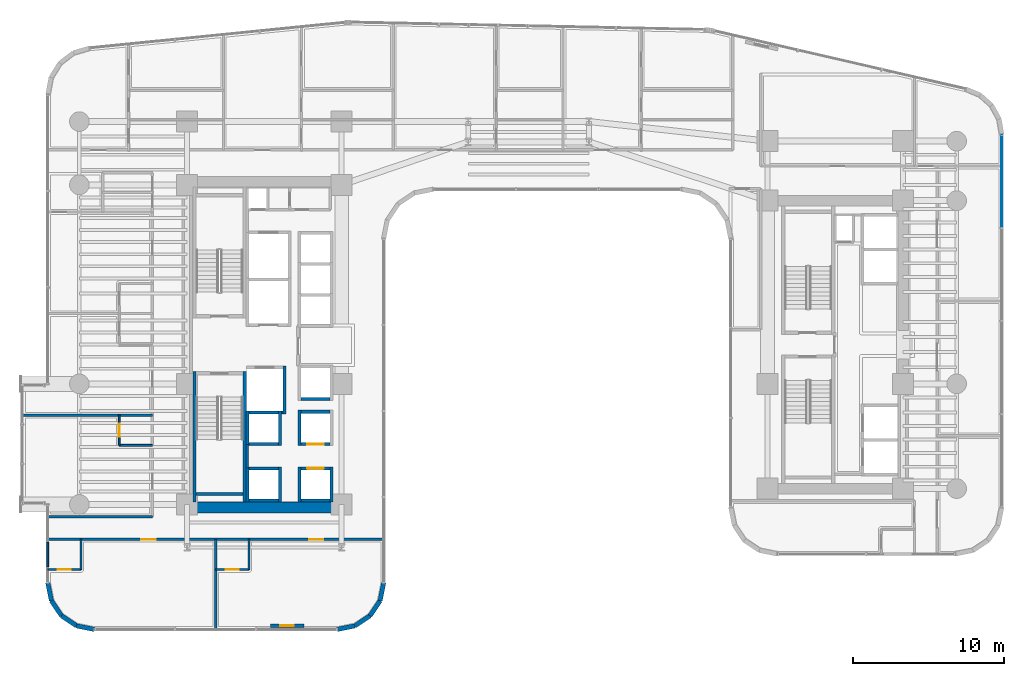
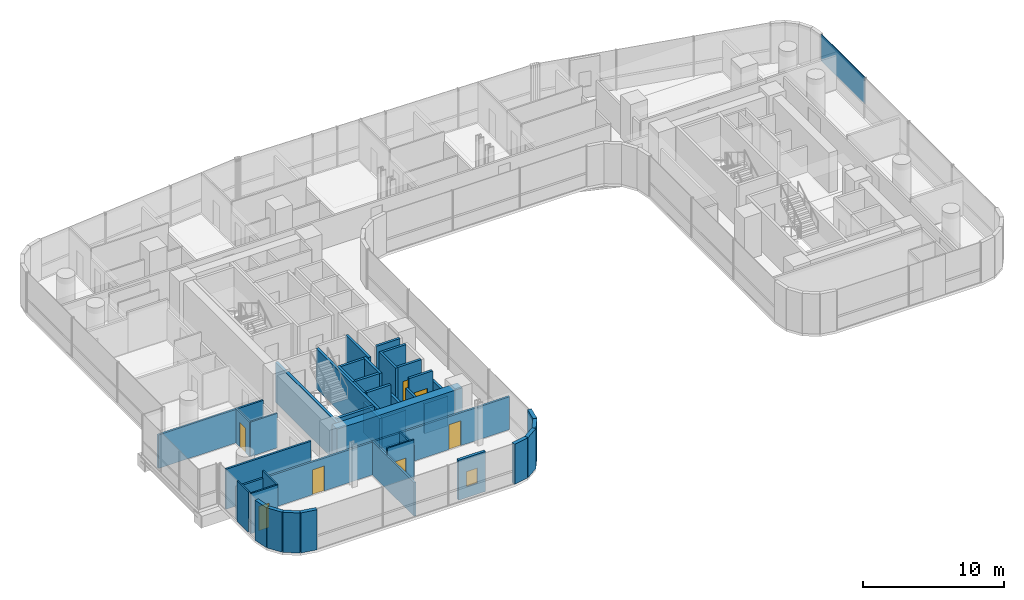
# One storey, part 30 of 41: 42 walls, 7 doors, 1 plate, 1 window, 8 openings, 1 element without a shape of its own.
"""IFC4 building model written with IfcOpenShell, lengths in metres."""

from ifc_helpers import new_model, si_unit, direction, frame, frame_2d, origin, origin_2d, place, context, subcontext, project, spatial, rectangle, extrude, source, transform, mapped, material, layer, layer_set, type_object, element, fill, aggregate, save


model = new_model("IFC4")

# Units and contexts
model_context = context("Model", 3, precision=1e-05, world=origin(), true_north=direction((0.0, 1.0)))
body_context = subcontext(model_context, "Body", "Model", "MODEL_VIEW")
ifc_project = project(units=[si_unit("LENGTHUNIT", "METRE"), si_unit("AREAUNIT", "SQUARE_METRE"), si_unit("VOLUMEUNIT", "CUBIC_METRE"), si_unit("PLANEANGLEUNIT", "RADIAN"), si_unit("MASSUNIT", "GRAM", prefix="KILO")], contexts=[model_context])

# Site, building, storey
site_placement = place(None, origin())
site = spatial("IfcSite", under=ifc_project, at=site_placement, CompositionType="ELEMENT")
building_placement = place(site_placement, origin())
building = spatial("IfcBuilding", under=site, at=building_placement, Name="Valdorenza Pilgrim Sanctuary Tower", CompositionType="ELEMENT")
storey_placement = place(building_placement, frame((0.0, 0.0, 59.300048828125)))
storey = spatial("IfcBuildingStorey", under=building, at=storey_placement, Name="L14", CompositionType="ELEMENT", Elevation=59.300048828125)

# Curtain wall, plate
ifc_material_1 = material(Name="Curtain-wall IGU glazing", Category="glass")
curtain_wall_type = type_object("IfcCurtainWallType", Name="CW-SYS-03", PredefinedType="NOTDEFINED", material=ifc_material_1)
curtain_wall_placement = place(storey_placement, origin())
curtain_wall = element("IfcCurtainWall", 1, at=curtain_wall_placement, inside=storey, type_object=curtain_wall_type, Name="L14 Curtain Wall CW-L14-1-21", PredefinedType="NOTDEFINED")
ifc_material_2 = material(Name="Ceramic-fritted low-E IGU glazing", Category="glass")
ifc_layer_1 = layer(ifc_material_2, 0.035888671875, Name="Ceramic-fritted low-E IGU glazing")
ifc_layer_set_1 = layer_set([ifc_layer_1], Name="Ceramic-fritted low-E IGU glazing")
plate_type = type_object("IfcPlateType", Name="CW-GLZ-IGU", PredefinedType="USERDEFINED", material=ifc_layer_set_1)
shared_shape = source(origin(), body_context, "Body", "SweptSolid", [
    extrude(rectangle(XDim=6.16357421875, YDim=0.050048828125, at=origin_2d()), origin(), (0.0, 0.0, 1.0), 2.320068359375),
])
plate_placement = place(storey_placement, frame((31.389892578125, 10.853271484375, 1.1298828125), z_axis=(0.0, 0.0, 1.0), x_axis=(0.0, -1.0, 0.0)))
plate = element("IfcPlate", 2, at=plate_placement, type_object=plate_type, Name="CW-L14-1-21 Facade Panel 1", ObjectType="GLAZING", PredefinedType="USERDEFINED", context=body_context, shape_type="MappedRepresentation", body=[
    mapped(shared_shape, transform((0.0, 0.0, 0.0), x_axis=(1.0, 0.0, 0.0), y_axis=(0.0, 1.0, 0.0), z_axis=(0.0, 0.0, 1.0), scale=1.0)),
])
aggregate(curtain_wall, [plate])

# Wall
ifc_material_3 = material(Name="Acoustic twin-stud gypsum partition", Category="gypsum")
ifc_layer_2 = layer(ifc_material_3, 0.159912109375, Name="Acoustic twin-stud gypsum partition")
ifc_layer_set_2 = layer_set([ifc_layer_2], Name="Acoustic twin-stud gypsum partition")
wall_type_1 = type_object("IfcWallType", Name="WAL-COR-160", PredefinedType="PARTITIONING", material=ifc_layer_set_2)
wall_1_placement = place(storey_placement, frame((-18.64990234375, -8.179931640625, 0.0), z_axis=(0.0, 0.0, 1.0), x_axis=(0.0, 1.0, 0.0)))
element("IfcWall", 3, at=wall_1_placement, inside=storey, type_object=wall_type_1, Name="L14 Core A South Lift Hall West Wall", PredefinedType="PARTITIONING", context=body_context, shape_type="SweptSolid", body=[
    extrude(rectangle(XDim=1.559814453125, YDim=0.159912109375, at=frame_2d((0.77978515625, 0.0))), origin(), (0.0, 0.0, 1.0), 3.4599609375),
])

# Wall, openings, doors
wall_2_placement = place(storey_placement, frame((-31.889892578125, -12.919921875, 0.0), z_axis=(0.0, 0.0, 1.0), x_axis=(1.0, 0.0, 0.0)))
wall_2 = element("IfcWall", 4, at=wall_2_placement, inside=storey, type_object=wall_type_1, Name="L14 South Wing Corridor Wall", PredefinedType="PARTITIONING", context=body_context, shape_type="SweptSolid", body=[
    extrude(rectangle(XDim=22.27978515625, YDim=0.159912109375, at=frame_2d((11.139892578125, 0.0))), origin(), (0.0, 0.0, 1.0), 2.833984375),
])
opening_1_placement = place(wall_2_placement, frame((6.195068359375, 0.0, 0.0)))
opening_1 = element("IfcOpeningElement", 5, at=opening_1_placement, cuts=wall_2, Name="Opening DR-UN1", PredefinedType="OPENING", context=body_context, shape_type="SweptSolid", body=[
    extrude(rectangle(XDim=0.949951171875, YDim=2.14990234375, at=frame_2d((0.47509765625, 1.074951171875))), frame((0.0, 0.0947265625, 0.0), z_axis=(0.0, -1.0, 0.0), x_axis=(1.0, 0.0, 0.0)), (0.0, 0.0, 1.0), 0.189697265625),
])
opening_2_placement = place(wall_2_placement, frame((17.3349609375, 0.0, 0.0)))
opening_2 = element("IfcOpeningElement", 6, at=opening_2_placement, cuts=wall_2, Name="Opening DR-UN1", PredefinedType="OPENING", context=body_context, shape_type="SweptSolid", body=[
    extrude(rectangle(XDim=0.949951171875, YDim=2.14990234375, at=frame_2d((0.47509765625, 1.074951171875))), frame((0.0, 0.0947265625, 0.0), z_axis=(0.0, -1.0, 0.0), x_axis=(1.0, 0.0, 0.0)), (0.0, 0.0, 1.0), 0.189697265625),
])
ifc_material_4 = material(Name="Solid-core European oak timber", Category="wood")
door_type_1 = type_object("IfcDoorType", Name="DR-UNIT-950", OperationType="NOTDEFINED", PredefinedType="DOOR", material=ifc_material_4)
door_1_placement = place(opening_1_placement, frame((0.949951171875, 0.0, 0.0), z_axis=(0.0, 0.0, 1.0), x_axis=(-1.0, 0.0, 0.0)))
door_1 = element("IfcDoor", 7, at=door_1_placement, inside=storey, type_object=door_type_1, Name="L14 South Sanctuary Guest Room L14-S1A Entrance Door", OperationType="SINGLE_SWING_LEFT", OverallHeight=2.14990234375, OverallWidth=0.949951171875, PredefinedType="DOOR", context=body_context, shape_type="SweptSolid", body=[
    extrude(rectangle(XDim=0.949951171875, YDim=2.14990234375, at=frame_2d((0.47509765625, 1.074951171875))), frame((0.0, 0.02490234375, 0.0), z_axis=(0.0, -1.0, 0.0), x_axis=(1.0, 0.0, 0.0)), (0.0, 0.0, 1.0), 0.050048828125),
])
fill(opening_1, door_1)
door_2_placement = place(opening_2_placement, frame((0.949951171875, 0.0, 0.0), z_axis=(0.0, 0.0, 1.0), x_axis=(-1.0, 0.0, 0.0)))
door_2 = element("IfcDoor", 8, at=door_2_placement, inside=storey, type_object=door_type_1, Name="L14 South Sanctuary Guest Room L14-S1B Entrance Door", OperationType="SINGLE_SWING_LEFT", OverallHeight=2.14990234375, OverallWidth=0.949951171875, PredefinedType="DOOR", context=body_context, shape_type="SweptSolid", body=[
    extrude(rectangle(XDim=0.949951171875, YDim=2.14990234375, at=frame_2d((0.47509765625, 1.074951171875))), frame((0.0, 0.02490234375, 0.0), z_axis=(0.0, -1.0, 0.0), x_axis=(1.0, 0.0, 0.0)), (0.0, 0.0, 1.0), 0.050048828125),
])
fill(opening_2, door_2)

# Walls
wall_3_placement = place(storey_placement, frame((-31.889892578125, -11.419921875, 0.0), z_axis=(0.0, 0.0, 1.0), x_axis=(1.0, 0.0, 0.0)))
element("IfcWall", 9, at=wall_3_placement, inside=storey, type_object=wall_type_1, Name="L14 South-West Corridor North Wall", PredefinedType="PARTITIONING", context=body_context, shape_type="SweptSolid", body=[
    extrude(rectangle(XDim=6.93994140625, YDim=0.159912109375, at=frame_2d((3.469970703125, 0.0))), origin(), (0.0, 0.0, 1.0), 3.4599609375),
])
ifc_material_5 = material(Name="Concrete C60/75", Category="concrete")
ifc_layer_3 = layer(ifc_material_5, 0.699951171875, Name="Concrete C60/75")
ifc_layer_set_3 = layer_set([ifc_layer_3], Name="Concrete C60/75")
wall_type_2 = type_object("IfcWallType", Name="WAL-COR-700", PredefinedType="SHEAR", material=ifc_layer_set_3)
wall_4_placement = place(storey_placement, frame((-22.64990234375, -10.800048828125, 0.0), z_axis=(0.0, 0.0, 1.0), x_axis=(1.0, 0.0, 0.0)))
element("IfcWall", 10, at=wall_4_placement, inside=storey, type_object=wall_type_2, Name="L14 Split Core A Shear Wall S", PredefinedType="SHEAR", context=body_context, shape_type="SweptSolid", body=[
    extrude(rectangle(XDim=10.25, YDim=0.699951171875, at=frame_2d((5.125, 0.0))), origin(), (0.0, 0.0, 1.0), 3.4599609375),
])
ifc_material_6 = material(Name="Honed travertine limestone", Category="masonry")
ifc_layer_4 = layer(ifc_material_6, 0.300048828125, Name="Honed travertine limestone")
ifc_layer_set_4 = layer_set([ifc_layer_4], Name="Honed travertine limestone")
wall_type_3 = type_object("IfcWallType", Name="WAL-EXT-300", PredefinedType="SOLIDWALL", material=ifc_layer_set_4)
wall_5_placement = place(storey_placement, frame((-9.610107421875, -15.789306640625, 0.0), z_axis=(0.0, 0.0, 1.0), x_axis=(-0.194996050505, -0.980804027463, 0.0)))
element("IfcWall", 11, at=wall_5_placement, inside=storey, type_object=wall_type_3, Name="L14 Rounded Wind-Corner Stone Pier 42", PredefinedType="SOLIDWALL", context=body_context, shape_type="SweptSolid", body=[
    extrude(rectangle(XDim=1.2158203125, YDim=0.300048828125, at=frame_2d((0.60791015625, 0.0))), origin(), (0.0, 0.0, 1.0), 3.4599609375),
])
for number, where, z_axis, x_axis, name in (
    (12, (-9.84716796875, -16.981689453125, 0.0), (0.0, 0.0, 1.0), (-0.555635100982, -0.831426265255, 0.0), "L14 Rounded Wind-Corner Stone Pier 43"),
    (13, (-10.5166015625, -17.9833984375, 0.0), (0.0, 0.0, 1.0), (-0.831426265255, -0.555635100982, 0.0), "L14 Rounded Wind-Corner Stone Pier 44"),
):
    element("IfcWall", number, at=place(storey_placement, frame(where, z_axis=z_axis, x_axis=x_axis)), inside=storey, type_object=wall_type_3, Name=name, PredefinedType="SOLIDWALL", context=body_context, shape_type="SweptSolid", body=[
        extrude(rectangle(XDim=1.204833984375, YDim=0.300048828125, at=frame_2d((0.6025390625, 0.0))), origin(), (0.0, 0.0, 1.0), 3.4599609375),
    ])
wall_6_placement = place(storey_placement, frame((-11.518310546875, -18.65283203125, 0.0), z_axis=(0.0, 0.0, 1.0), x_axis=(-0.980804027463, -0.194996050505, 0.0)))
element("IfcWall", 14, at=wall_6_placement, inside=storey, type_object=wall_type_3, Name="L14 Rounded Wind-Corner Stone Pier 45", PredefinedType="SOLIDWALL", context=body_context, shape_type="SweptSolid", body=[
    extrude(rectangle(XDim=1.2158203125, YDim=0.300048828125, at=frame_2d((0.60791015625, 0.0))), origin(), (0.0, 0.0, 1.0), 3.4599609375),
])

# Wall, opening, window
wall_7_placement = place(storey_placement, frame((-14.910888671875, -18.64990234375, 0.0), z_axis=(0.0, 0.0, 1.0), x_axis=(-1.0, 0.0, 0.0)))
wall_7 = element("IfcWall", 15, at=wall_7_placement, inside=storey, type_object=wall_type_3, Name="L14 Operable Ventilation Sash Jamb Pier", PredefinedType="SOLIDWALL", context=body_context, shape_type="SweptSolid", body=[
    extrude(rectangle(XDim=2.199951171875, YDim=0.219970703125, at=frame_2d((1.10009765625, 0.0))), origin(), (0.0, 0.0, 1.0), 3.4599609375),
])
opening_3_placement = place(wall_7_placement, frame((0.64990234375, 0.0, 0.949951171875)))
opening_3 = element("IfcOpeningElement", 16, at=opening_3_placement, cuts=wall_7, Name="Opening WN-OP1", PredefinedType="OPENING", context=body_context, shape_type="SweptSolid", body=[
    extrude(rectangle(XDim=0.89990234375, YDim=1.300048828125, at=frame_2d((0.449951171875, 0.64990234375))), frame((0.0, 0.125, 0.0), z_axis=(0.0, -1.0, 0.0), x_axis=(1.0, 0.0, 0.0)), (0.0, 0.0, 1.0), 0.249755859375),
])
window_type = type_object("IfcWindowType", Name="WIN-OPN-900", PartitioningType="SINGLE_PANEL", PredefinedType="WINDOW", material=ifc_material_2)
window_placement = place(opening_3_placement, origin())
window = element("IfcWindow", 17, at=window_placement, inside=storey, type_object=window_type, Name="L14 Parallel-Pop-Out Operable Facade Panel", OverallHeight=1.300048828125, OverallWidth=0.89990234375, PartitioningType="SINGLE_PANEL", PredefinedType="WINDOW", context=body_context, shape_type="SweptSolid", body=[
    extrude(rectangle(XDim=0.89990234375, YDim=1.300048828125, at=frame_2d((0.449951171875, 0.64990234375))), frame((0.0, 0.030029296875, 0.0), z_axis=(0.0, -1.0, 0.0), x_axis=(1.0, 0.0, 0.0)), (0.0, 0.0, 1.0), 0.06005859375),
])
fill(opening_3, window)

# Walls
wall_8_placement = place(storey_placement, frame((-28.789306640625, -18.889892578125, 0.0), z_axis=(0.0, 0.0, 1.0), x_axis=(-0.980804027463, 0.194996050505, 0.0)))
element("IfcWall", 18, at=wall_8_placement, inside=storey, type_object=wall_type_3, Name="L14 Rounded Wind-Corner Stone Pier 47", PredefinedType="SOLIDWALL", context=body_context, shape_type="SweptSolid", body=[
    extrude(rectangle(XDim=1.2158203125, YDim=0.300048828125, at=frame_2d((0.60791015625, 0.0))), origin(), (0.0, 0.0, 1.0), 3.4599609375),
])
for number, where, z_axis, x_axis, name in (
    (19, (-29.981689453125, -18.65283203125, 0.0), (0.0, 0.0, 1.0), (-0.831426265255, 0.555635100982, 0.0), "L14 Rounded Wind-Corner Stone Pier 48"),
    (20, (-30.9833984375, -17.9833984375, 0.0), (0.0, 0.0, 1.0), (-0.555635100982, 0.831426265255, 0.0), "L14 Rounded Wind-Corner Stone Pier 49"),
):
    element("IfcWall", number, at=place(storey_placement, frame(where, z_axis=z_axis, x_axis=x_axis)), inside=storey, type_object=wall_type_3, Name=name, PredefinedType="SOLIDWALL", context=body_context, shape_type="SweptSolid", body=[
        extrude(rectangle(XDim=1.204833984375, YDim=0.300048828125, at=frame_2d((0.6025390625, 0.0))), origin(), (0.0, 0.0, 1.0), 3.4599609375),
    ])
wall_9_placement = place(storey_placement, frame((-31.65283203125, -16.981689453125, 0.0), z_axis=(0.0, 0.0, 1.0), x_axis=(-0.194996050505, 0.980804027463, 0.0)))
element("IfcWall", 21, at=wall_9_placement, inside=storey, type_object=wall_type_3, Name="L14 Rounded Wind-Corner Stone Pier 50", PredefinedType="SOLIDWALL", context=body_context, shape_type="SweptSolid", body=[
    extrude(rectangle(XDim=1.2158203125, YDim=0.300048828125, at=frame_2d((0.60791015625, 0.0))), origin(), (0.0, 0.0, 1.0), 3.4599609375),
])
ifc_material_7 = material(Name="Moisture-resistant gypsum partition", Category="gypsum")
ifc_layer_5 = layer(ifc_material_7, 0.1201171875, Name="Moisture-resistant gypsum partition")
ifc_layer_set_5 = layer_set([ifc_layer_5], Name="Moisture-resistant gypsum partition")
wall_type_4 = type_object("IfcWallType", Name="WAL-INT-120", PredefinedType="PARTITIONING", material=ifc_layer_set_5)
wall_10_placement = place(storey_placement, frame((-27.14990234375, -6.679931640625, 0.0), z_axis=(0.0, 0.0, 1.0), x_axis=(1.0, 0.0, 0.0)))
element("IfcWall", 22, at=wall_10_placement, inside=storey, type_object=wall_type_4, Name="L14 Sanctuary Guest Room L14-W1 En-suite South Wall", PredefinedType="PARTITIONING", context=body_context, shape_type="SweptSolid", body=[
    extrude(rectangle(XDim=2.199951171875, YDim=0.1201171875, at=frame_2d((1.10009765625, 0.0))), origin(), (0.0, 0.0, 1.0), 2.97900390625),
])

# Wall, opening, door
wall_11_placement = place(storey_placement, frame((-27.14990234375, -6.679931640625, 0.0), z_axis=(0.0, 0.0, 1.0), x_axis=(0.0, 1.0, 0.0)))
wall_11 = element("IfcWall", 23, at=wall_11_placement, inside=storey, type_object=wall_type_4, Name="L14 Sanctuary Guest Room L14-W1 En-suite Door Wall", PredefinedType="PARTITIONING", context=body_context, shape_type="SweptSolid", body=[
    extrude(rectangle(XDim=2.0, YDim=0.1201171875, at=frame_2d((1.0, 0.0))), origin(), (0.0, 0.0, 1.0), 2.97900390625),
])
opening_4_placement = place(wall_11_placement, frame((0.574951171875, 0.0, 0.0)))
opening_4 = element("IfcOpeningElement", 24, at=opening_4_placement, cuts=wall_11, Name="Opening DR-WC1", PredefinedType="OPENING", context=body_context, shape_type="SweptSolid", body=[
    extrude(rectangle(XDim=0.85009765625, YDim=2.10009765625, at=frame_2d((0.425048828125, 1.050048828125))), frame((0.0, 0.074951171875, 0.0), z_axis=(0.0, -1.0, 0.0), x_axis=(1.0, 0.0, 0.0)), (0.0, 0.0, 1.0), 0.14990234375),
])
ifc_material_8 = material(Name="Moisture-resistant lacquered timber", Category="wood")
door_type_2 = type_object("IfcDoorType", Name="DR-BATH-850", OperationType="NOTDEFINED", PredefinedType="DOOR", material=ifc_material_8)
door_3_placement = place(opening_4_placement, origin())
door_3 = element("IfcDoor", 25, at=door_3_placement, inside=storey, type_object=door_type_2, Name="L14 Sanctuary Guest Room L14-W1 En-suite Bathroom Door", OperationType="SINGLE_SWING_RIGHT", OverallHeight=2.10009765625, OverallWidth=0.85009765625, PredefinedType="DOOR", context=body_context, shape_type="SweptSolid", body=[
    extrude(rectangle(XDim=0.85009765625, YDim=2.10009765625, at=frame_2d((0.425048828125, 1.050048828125))), frame((0.0, 0.02490234375, 0.0), z_axis=(0.0, -1.0, 0.0), x_axis=(1.0, 0.0, 0.0)), (0.0, 0.0, 1.0), 0.050048828125),
])
fill(opening_4, door_3)

# Wall
wall_12_placement = place(storey_placement, frame((-29.68994140625, -14.919921875, 0.0), z_axis=(0.0, 0.0, 1.0), x_axis=(0.0, 1.0, 0.0)))
element("IfcWall", 26, at=wall_12_placement, inside=storey, type_object=wall_type_4, Name="L14 South Sanctuary Guest Room L14-S1A En-suite East Wall", PredefinedType="PARTITIONING", context=body_context, shape_type="SweptSolid", body=[
    extrude(rectangle(XDim=2.0, YDim=0.1201171875, at=frame_2d((1.0, 0.0))), origin(), (0.0, 0.0, 1.0), 3.4599609375),
])

# Wall, opening, door
wall_13_placement = place(storey_placement, frame((-31.889892578125, -14.919921875, 0.0), z_axis=(0.0, 0.0, 1.0), x_axis=(1.0, 0.0, 0.0)))
wall_13 = element("IfcWall", 27, at=wall_13_placement, inside=storey, type_object=wall_type_4, Name="L14 South Sanctuary Guest Room L14-S1A En-suite Door Wall", PredefinedType="PARTITIONING", context=body_context, shape_type="SweptSolid", body=[
    extrude(rectangle(XDim=2.199951171875, YDim=0.1201171875, at=frame_2d((1.10009765625, 0.0))), origin(), (0.0, 0.0, 1.0), 3.4599609375),
])
opening_5_placement = place(wall_13_placement, frame((0.675048828125, 0.0, 0.0)))
opening_5 = element("IfcOpeningElement", 28, at=opening_5_placement, cuts=wall_13, Name="Opening DR-WC1", PredefinedType="OPENING", context=body_context, shape_type="SweptSolid", body=[
    extrude(rectangle(XDim=0.85009765625, YDim=2.10009765625, at=frame_2d((0.425048828125, 1.050048828125))), frame((0.0, 0.074951171875, 0.0), z_axis=(0.0, -1.0, 0.0), x_axis=(1.0, 0.0, 0.0)), (0.0, 0.0, 1.0), 0.14990234375),
])
door_4_placement = place(opening_5_placement, origin())
door_4 = element("IfcDoor", 29, at=door_4_placement, inside=storey, type_object=door_type_2, Name="L14 South Sanctuary Guest Room L14-S1A En-suite Bathroom Door", OperationType="SINGLE_SWING_RIGHT", OverallHeight=2.10009765625, OverallWidth=0.85009765625, PredefinedType="DOOR", context=body_context, shape_type="SweptSolid", body=[
    extrude(rectangle(XDim=0.85009765625, YDim=2.10009765625, at=frame_2d((0.425048828125, 1.050048828125))), frame((0.0, 0.02490234375, 0.0), z_axis=(0.0, -1.0, 0.0), x_axis=(1.0, 0.0, 0.0)), (0.0, 0.0, 1.0), 0.050048828125),
])
fill(opening_5, door_4)

# Walls
wall_14_placement = place(storey_placement, frame((-31.889892578125, -14.739990234375, 0.0), z_axis=(0.0, 0.0, 1.0), x_axis=(0.0, 1.0, 0.0)))
element("IfcWall", 30, at=wall_14_placement, inside=storey, type_object=wall_type_4, Name="L14 SW-FL1A-ENS Enclosure Wall W", PredefinedType="PARTITIONING", context=body_context, shape_type="SweptSolid", body=[
    extrude(rectangle(XDim=1.619873046875, YDim=0.1201171875, at=frame_2d((0.81005859375, 0.0))), origin(), (0.0, 0.0, 1.0), 3.4599609375),
])
wall_15_placement = place(storey_placement, frame((-18.550048828125, -14.919921875, 0.0), z_axis=(0.0, 0.0, 1.0), x_axis=(0.0, 1.0, 0.0)))
element("IfcWall", 31, at=wall_15_placement, inside=storey, type_object=wall_type_4, Name="L14 South Sanctuary Guest Room L14-S1B En-suite East Wall", PredefinedType="PARTITIONING", context=body_context, shape_type="SweptSolid", body=[
    extrude(rectangle(XDim=2.0, YDim=0.1201171875, at=frame_2d((1.0, 0.0))), origin(), (0.0, 0.0, 1.0), 2.89599609375),
])

# Wall, opening, door
wall_16_placement = place(storey_placement, frame((-20.75, -14.919921875, 0.0), z_axis=(0.0, 0.0, 1.0), x_axis=(1.0, 0.0, 0.0)))
wall_16 = element("IfcWall", 32, at=wall_16_placement, inside=storey, type_object=wall_type_4, Name="L14 South Sanctuary Guest Room L14-S1B En-suite Door Wall", PredefinedType="PARTITIONING", context=body_context, shape_type="SweptSolid", body=[
    extrude(rectangle(XDim=2.199951171875, YDim=0.1201171875, at=frame_2d((1.10009765625, 0.0))), origin(), (0.0, 0.0, 1.0), 3.4599609375),
])
opening_6_placement = place(wall_16_placement, frame((0.675048828125, 0.0, 0.0)))
opening_6 = element("IfcOpeningElement", 33, at=opening_6_placement, cuts=wall_16, Name="Opening DR-WC1", PredefinedType="OPENING", context=body_context, shape_type="SweptSolid", body=[
    extrude(rectangle(XDim=0.85009765625, YDim=2.10009765625, at=frame_2d((0.425048828125, 1.050048828125))), frame((0.0, 0.074951171875, 0.0), z_axis=(0.0, -1.0, 0.0), x_axis=(1.0, 0.0, 0.0)), (0.0, 0.0, 1.0), 0.14990234375),
])
door_5_placement = place(opening_6_placement, origin())
door_5 = element("IfcDoor", 34, at=door_5_placement, inside=storey, type_object=door_type_2, Name="L14 South Sanctuary Guest Room L14-S1B En-suite Bathroom Door", OperationType="SINGLE_SWING_RIGHT", OverallHeight=2.10009765625, OverallWidth=0.85009765625, PredefinedType="DOOR", context=body_context, shape_type="SweptSolid", body=[
    extrude(rectangle(XDim=0.85009765625, YDim=2.10009765625, at=frame_2d((0.425048828125, 1.050048828125))), frame((0.0, 0.02490234375, 0.0), z_axis=(0.0, -1.0, 0.0), x_axis=(1.0, 0.0, 0.0)), (0.0, 0.0, 1.0), 0.050048828125),
])
fill(opening_6, door_5)

# Walls
ifc_material_9 = material(Name="Autoclaved aerated concrete blockwork", Category="masonry")
ifc_layer_6 = layer(ifc_material_9, 0.199951171875, Name="Autoclaved aerated concrete blockwork")
ifc_layer_set_6 = layer_set([ifc_layer_6], Name="Autoclaved aerated concrete blockwork")
wall_type_5 = type_object("IfcWallType", Name="WAL-SHF-200", PredefinedType="MOVABLE", material=ifc_layer_set_6)
wall_17_placement = place(storey_placement, frame((-16.199951171875, -4.60009765625, 0.0), z_axis=(0.0, 0.0, 1.0), x_axis=(0.0, 1.0, 0.0)))
element("IfcWall", 35, at=wall_17_placement, inside=storey, type_object=wall_type_5, Name="L14 Lift FFL-02 Hoistway Wall East", PredefinedType="MOVABLE", context=body_context, shape_type="SweptSolid", body=[
    extrude(rectangle(XDim=3.2001953125, YDim=0.199951171875, at=frame_2d((1.60009765625, 0.0))), origin(), (0.0, 0.0, 1.0), 3.4599609375),
])
wall_18_placement = place(storey_placement, frame((-18.719970703125, -4.5, 0.0), z_axis=(0.0, 0.0, 1.0), x_axis=(1.0, 0.0, 0.0)))
element("IfcWall", 36, at=wall_18_placement, inside=storey, type_object=wall_type_5, Name="L14 Lift FFL-02 Hoistway Wall South", PredefinedType="MOVABLE", context=body_context, shape_type="SweptSolid", body=[
    extrude(rectangle(XDim=2.419921875, YDim=0.199951171875, at=frame_2d((1.2099609375, 0.0))), origin(), (0.0, 0.0, 1.0), 3.4599609375),
])
for number, where, z_axis, x_axis, name in (
    (37, (-15.199951171875, -10.449951171875, 0.0), (0.0, 0.0, 1.0), (0.0, 1.0, 0.0), "L14 Lift PL-01 Hoistway Wall West"),
    (38, (-13.080078125, -10.449951171875, 0.0), (0.0, 0.0, 1.0), (0.0, 1.0, 0.0), "L14 Lift PL-01 Hoistway Wall East"),
):
    element("IfcWall", number, at=place(storey_placement, frame(where, z_axis=z_axis, x_axis=x_axis)), inside=storey, type_object=wall_type_5, Name=name, PredefinedType="MOVABLE", context=body_context, shape_type="SweptSolid", body=[
        extrude(rectangle(XDim=2.349853515625, YDim=0.199951171875, at=frame_2d((1.1748046875, 0.0))), origin(), (0.0, 0.0, 1.0), 2.5830078125),
    ])
wall_19_placement = place(storey_placement, frame((-15.10009765625, -10.35009765625, 0.0), z_axis=(0.0, 0.0, 1.0), x_axis=(1.0, 0.0, 0.0)))
element("IfcWall", 39, at=wall_19_placement, inside=storey, type_object=wall_type_5, Name="L14 Lift PL-01 Hoistway Wall South", PredefinedType="MOVABLE", context=body_context, shape_type="SweptSolid", body=[
    extrude(rectangle(XDim=1.920166015625, YDim=0.199951171875, at=frame_2d((0.9599609375, 0.0))), origin(), (0.0, 0.0, 1.0), 2.5830078125),
])

# Wall, opening, door
wall_20_placement = place(storey_placement, frame((-15.10009765625, -8.199951171875, 0.0), z_axis=(0.0, 0.0, 1.0), x_axis=(1.0, 0.0, 0.0)))
wall_20 = element("IfcWall", 40, at=wall_20_placement, inside=storey, type_object=wall_type_5, Name="L14 Lift PL-01 Hoistway Wall North", PredefinedType="MOVABLE", context=body_context, shape_type="SweptSolid", body=[
    extrude(rectangle(XDim=1.920166015625, YDim=0.199951171875, at=frame_2d((0.9599609375, 0.0))), origin(), (0.0, 0.0, 1.0), 3.4599609375),
])
opening_7_placement = place(wall_20_placement, frame((0.409912109375, 0.0, 0.0)))
opening_7 = element("IfcOpeningElement", 41, at=opening_7_placement, cuts=wall_20, Name="Opening LD-01", PredefinedType="OPENING", context=body_context, shape_type="SweptSolid", body=[
    extrude(rectangle(XDim=1.10009765625, YDim=2.10009765625, at=frame_2d((0.550048828125, 1.050048828125))), frame((0.0, 0.11474609375, 0.0), z_axis=(0.0, -1.0, 0.0), x_axis=(1.0, 0.0, 0.0)), (0.0, 0.0, 1.0), 0.229736328125),
])
ifc_material_10 = material(Name="Brushed stainless steel Grade 316", Category="steel")
door_type_3 = type_object("IfcDoorType", Name="DR-LFT-1100", OperationType="DOUBLE_DOOR_SLIDING", PredefinedType="DOOR", material=ifc_material_10)
door_6_placement = place(opening_7_placement, origin())
door_6 = element("IfcDoor", 42, at=door_6_placement, inside=storey, type_object=door_type_3, Name="L14 Lift PL-01 Sliding Landing Door", OperationType="DOUBLE_DOOR_SLIDING", OverallHeight=2.10009765625, OverallWidth=1.10009765625, PredefinedType="DOOR", context=body_context, shape_type="SweptSolid", body=[
    extrude(rectangle(XDim=1.10009765625, YDim=2.10009765625, at=frame_2d((0.550048828125, 1.050048828125))), frame((0.0, 0.02490234375, 0.0), z_axis=(0.0, -1.0, 0.0), x_axis=(1.0, 0.0, 0.0)), (0.0, 0.0, 1.0), 0.050048828125),
])
fill(opening_7, door_6)

# Wall
wall_21_placement = place(storey_placement, frame((-15.199951171875, -6.699951171875, 0.0), z_axis=(0.0, 0.0, 1.0), x_axis=(0.0, 1.0, 0.0)))
element("IfcWall", 43, at=wall_21_placement, inside=storey, type_object=wall_type_5, Name="L14 Lift PL-02 Hoistway Wall West", PredefinedType="MOVABLE", context=body_context, shape_type="SweptSolid", body=[
    extrude(rectangle(XDim=2.349853515625, YDim=0.199951171875, at=frame_2d((1.1748046875, 0.0))), origin(), (0.0, 0.0, 1.0), 3.4599609375),
])

# Wall, opening, door
wall_22_placement = place(storey_placement, frame((-15.10009765625, -6.60009765625, 0.0), z_axis=(0.0, 0.0, 1.0), x_axis=(1.0, 0.0, 0.0)))
wall_22 = element("IfcWall", 44, at=wall_22_placement, inside=storey, type_object=wall_type_5, Name="L14 Lift PL-02 Hoistway Wall South", PredefinedType="MOVABLE", context=body_context, shape_type="SweptSolid", body=[
    extrude(rectangle(XDim=1.920166015625, YDim=0.199951171875, at=frame_2d((0.9599609375, 0.0))), origin(), (0.0, 0.0, 1.0), 3.4599609375),
])
opening_8_placement = place(wall_22_placement, frame((0.409912109375, 0.0, 0.0)))
opening_8 = element("IfcOpeningElement", 45, at=opening_8_placement, cuts=wall_22, Name="Opening LD-01", PredefinedType="OPENING", context=body_context, shape_type="SweptSolid", body=[
    extrude(rectangle(XDim=1.10009765625, YDim=2.10009765625, at=frame_2d((0.550048828125, 1.050048828125))), frame((0.0, 0.11474609375, 0.0), z_axis=(0.0, -1.0, 0.0), x_axis=(1.0, 0.0, 0.0)), (0.0, 0.0, 1.0), 0.229736328125),
])
door_7_placement = place(opening_8_placement, origin())
door_7 = element("IfcDoor", 46, at=door_7_placement, inside=storey, type_object=door_type_3, Name="L14 Lift PL-02 Sliding Landing Door", OperationType="DOUBLE_DOOR_SLIDING", OverallHeight=2.10009765625, OverallWidth=1.10009765625, PredefinedType="DOOR", context=body_context, shape_type="SweptSolid", body=[
    extrude(rectangle(XDim=1.10009765625, YDim=2.10009765625, at=frame_2d((0.550048828125, 1.050048828125))), frame((0.0, 0.02490234375, 0.0), z_axis=(0.0, -1.0, 0.0), x_axis=(1.0, 0.0, 0.0)), (0.0, 0.0, 1.0), 0.050048828125),
])
fill(opening_8, door_7)

# Walls
wall_23_placement = place(storey_placement, frame((-15.10009765625, -4.449951171875, 0.0), z_axis=(0.0, 0.0, 1.0), x_axis=(1.0, 0.0, 0.0)))
element("IfcWall", 47, at=wall_23_placement, inside=storey, type_object=wall_type_5, Name="L14 Lift PL-02 Hoistway Wall North", PredefinedType="MOVABLE", context=body_context, shape_type="SweptSolid", body=[
    extrude(rectangle(XDim=1.920166015625, YDim=0.199951171875, at=frame_2d((0.9599609375, 0.0))), origin(), (0.0, 0.0, 1.0), 3.4599609375),
])
for number, where, z_axis, x_axis, name in (
    (48, (-18.64990234375, -10.449951171875, 0.0), (0.0, 0.0, 1.0), (0.0, 1.0, 0.0), "L14 Lift PL-05 Hoistway Wall West"),
    (49, (-16.5, -10.449951171875, 0.0), (0.0, 0.0, 1.0), (0.0, 1.0, 0.0), "L14 Lift PL-05 Hoistway Wall East"),
):
    element("IfcWall", number, at=place(storey_placement, frame(where, z_axis=z_axis, x_axis=x_axis)), inside=storey, type_object=wall_type_5, Name=name, PredefinedType="MOVABLE", context=body_context, shape_type="SweptSolid", body=[
        extrude(rectangle(XDim=2.349853515625, YDim=0.199951171875, at=frame_2d((1.1748046875, 0.0))), origin(), (0.0, 0.0, 1.0), 2.5830078125),
    ])
wall_24_placement = place(storey_placement, frame((-18.550048828125, -10.35009765625, 0.0), z_axis=(0.0, 0.0, 1.0), x_axis=(1.0, 0.0, 0.0)))
element("IfcWall", 50, at=wall_24_placement, inside=storey, type_object=wall_type_5, Name="L14 Lift PL-05 Hoistway Wall South", PredefinedType="MOVABLE", context=body_context, shape_type="SweptSolid", body=[
    extrude(rectangle(XDim=1.949951171875, YDim=0.199951171875, at=frame_2d((0.97509765625, 0.0))), origin(), (0.0, 0.0, 1.0), 2.5830078125),
])
wall_25_placement = place(storey_placement, frame((-18.550048828125, -8.199951171875, 0.0), z_axis=(0.0, 0.0, 1.0), x_axis=(1.0, 0.0, 0.0)))
element("IfcWall", 51, at=wall_25_placement, inside=storey, type_object=wall_type_5, Name="L14 Lift PL-05 Hoistway Wall North", PredefinedType="MOVABLE", context=body_context, shape_type="SweptSolid", body=[
    extrude(rectangle(XDim=1.949951171875, YDim=0.199951171875, at=frame_2d((0.97509765625, 0.0))), origin(), (0.0, 0.0, 1.0), 3.4599609375),
])
for number, where, z_axis, x_axis, name in (
    (52, (-18.64990234375, -6.699951171875, 0.0), (0.0, 0.0, 1.0), (0.0, 1.0, 0.0), "L14 Lift PL-11 Hoistway Wall West"),
    (53, (-16.5, -6.699951171875, 0.0), (0.0, 0.0, 1.0), (0.0, 1.0, 0.0), "L14 Lift PL-11 Hoistway Wall East"),
):
    element("IfcWall", number, at=place(storey_placement, frame(where, z_axis=z_axis, x_axis=x_axis)), inside=storey, type_object=wall_type_5, Name=name, PredefinedType="MOVABLE", context=body_context, shape_type="SweptSolid", body=[
        extrude(rectangle(XDim=2.300048828125, YDim=0.199951171875, at=frame_2d((1.14990234375, 0.0))), origin(), (0.0, 0.0, 1.0), 3.4599609375),
    ])
wall_26_placement = place(storey_placement, frame((-18.550048828125, -6.60009765625, 0.0), z_axis=(0.0, 0.0, 1.0), x_axis=(1.0, 0.0, 0.0)))
element("IfcWall", 54, at=wall_26_placement, inside=storey, type_object=wall_type_5, Name="L14 Lift PL-11 Hoistway Wall South", PredefinedType="MOVABLE", context=body_context, shape_type="SweptSolid", body=[
    extrude(rectangle(XDim=1.949951171875, YDim=0.199951171875, at=frame_2d((0.97509765625, 0.0))), origin(), (0.0, 0.0, 1.0), 3.4599609375),
])
wall_27_placement = place(storey_placement, frame((-15.10009765625, -3.60009765625, 0.0), z_axis=(0.0, 0.0, 1.0), x_axis=(1.0, 0.0, 0.0)))
element("IfcWall", 55, at=wall_27_placement, inside=storey, type_object=wall_type_5, Name="L14 Lift PL-12 Hoistway Wall South", PredefinedType="MOVABLE", context=body_context, shape_type="SweptSolid", body=[
    extrude(rectangle(XDim=1.920166015625, YDim=0.199951171875, at=frame_2d((0.9599609375, 0.0))), origin(), (0.0, 0.0, 1.0), 3.4599609375),
])
ifc_material_11 = material(Name="Concrete C40/50", Category="concrete")
ifc_layer_7 = layer(ifc_material_11, 0.219970703125, Name="Concrete C40/50")
ifc_layer_set_7 = layer_set([ifc_layer_7], Name="Concrete C40/50")
wall_type_6 = type_object("IfcWallType", Name="WAL-STR-SHF-220", PredefinedType="SHEAR", material=ifc_layer_set_7)
for number, where, z_axis, x_axis, name in (
    (56, (-22.159912109375, -10.449951171875, 0.0), (0.0, 0.0, 1.0), (0.0, 1.0, 0.0), "L14 ST-A2 Structural Stairwell Wall W"),
    (57, (-18.830078125, -10.449951171875, 0.0), (0.0, 0.0, 1.0), (0.0, 1.0, 0.0), "L14 ST-A2 Structural Stairwell Wall E"),
):
    element("IfcWall", number, at=place(storey_placement, frame(where, z_axis=z_axis, x_axis=x_axis)), inside=storey, type_object=wall_type_6, Name=name, PredefinedType="SHEAR", context=body_context, shape_type="SweptSolid", body=[
        extrude(rectangle(XDim=8.669921875, YDim=0.219970703125, at=frame_2d((4.3349609375, 0.0))), origin(), (0.0, 0.0, 1.0), 3.4599609375),
    ])
wall_28_placement = place(storey_placement, frame((-22.050048828125, -9.909912109375, 0.0), z_axis=(0.0, 0.0, 1.0), x_axis=(1.0, 0.0, 0.0)))
element("IfcWall", 58, at=wall_28_placement, inside=storey, type_object=wall_type_6, Name="L14 ST-A2 Structural Stairwell Wall S", PredefinedType="SHEAR", context=body_context, shape_type="SweptSolid", body=[
    extrude(rectangle(XDim=3.110107421875, YDim=0.219970703125, at=frame_2d((1.55517578125, 0.0))), origin(), (0.0, 0.0, 1.0), 3.4599609375),
])
ifc_layer_8 = layer(ifc_material_3, 0.14990234375, Name="Acoustic twin-stud gypsum partition")
ifc_layer_set_8 = layer_set([ifc_layer_8], Name="Acoustic twin-stud gypsum partition")
wall_type_7 = type_object("IfcWallType", Name="WAL-UNT-150", PredefinedType="PARTITIONING", material=ifc_layer_set_8)
wall_29_placement = place(storey_placement, frame((-33.5400390625, -4.679931640625, 0.0), z_axis=(0.0, 0.0, 1.0), x_axis=(1.0, 0.0, 0.0)))
element("IfcWall", 59, at=wall_29_placement, inside=storey, type_object=wall_type_7, Name="L14 West Apt Demising 1", PredefinedType="PARTITIONING", context=body_context, shape_type="SweptSolid", body=[
    extrude(rectangle(XDim=8.590087890625, YDim=0.14990234375, at=frame_2d((4.294921875, 0.0))), origin(), (0.0, 0.0, 1.0), 2.89599609375),
])
wall_30_placement = place(storey_placement, frame((-20.75, -18.889892578125, 0.0), z_axis=(0.0, 0.0, 1.0), x_axis=(0.0, 1.0, 0.0)))
element("IfcWall", 60, at=wall_30_placement, inside=storey, type_object=wall_type_7, Name="L14 South Sanctuary Guest Room L14-S1 Split Wall", PredefinedType="PARTITIONING", context=body_context, shape_type="SweptSolid", body=[
    extrude(rectangle(XDim=5.969970703125, YDim=0.14990234375, at=frame_2d((2.98486328125, 0.0))), origin(), (0.0, 0.0, 1.0), 2.89599609375),
])

save(model, "model.ifc")
